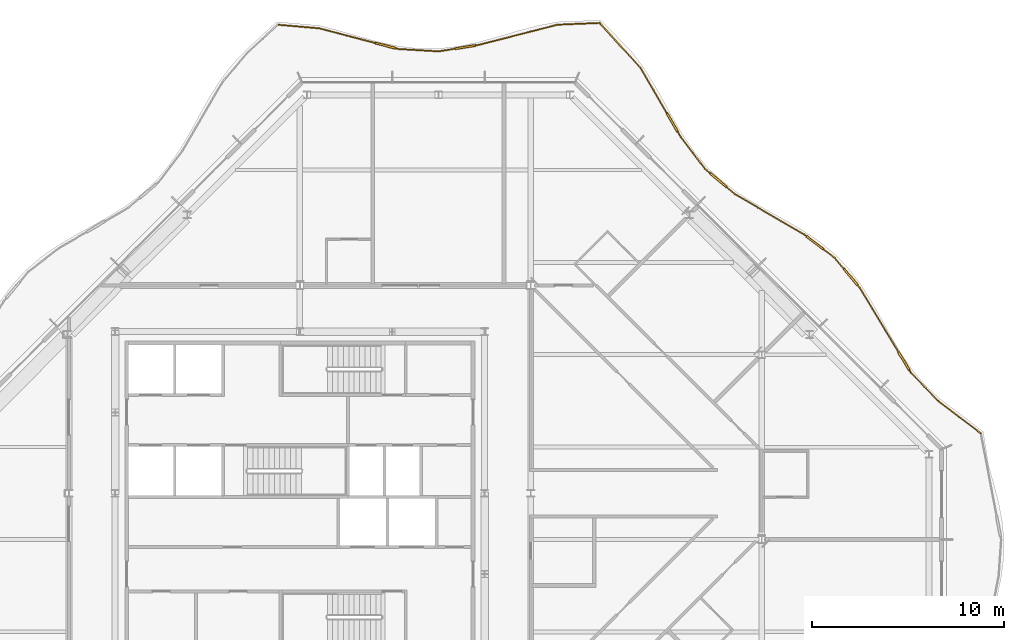
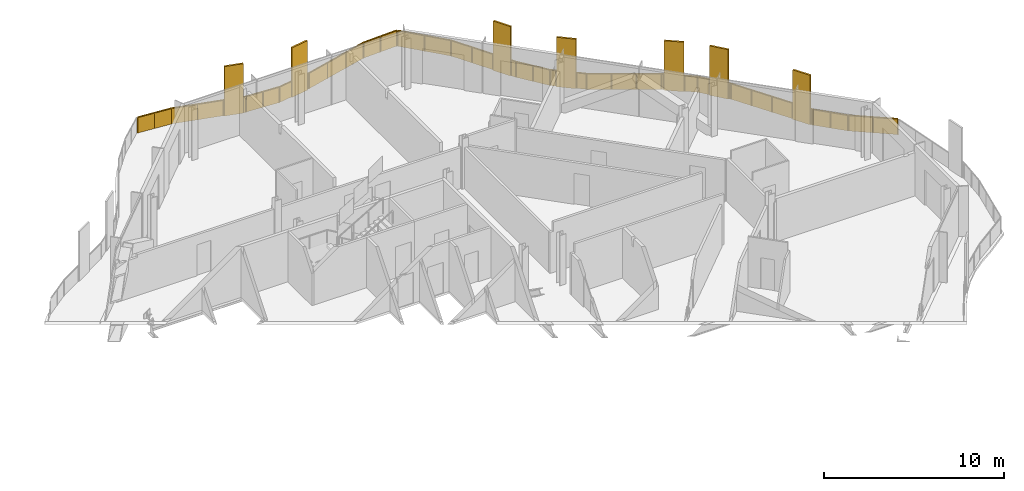
# One storey, part 17 of 17: 2 railings.
"""IFC4 building model written with IfcOpenShell, lengths in metres."""

from ifc_helpers import new_model, si_unit, direction, frame, origin, origin_2d, place, context, subcontext, project, spatial, polyline, rectangle, outline, extrude, material, type_object, element, save


model = new_model("IFC4")

# Units and contexts
model_context = context("Model", 3, precision=1e-05, world=origin(), true_north=direction((0.0, 1.0)))
body_context = subcontext(model_context, "Body", "Model", "MODEL_VIEW")
ifc_project = project(units=[si_unit("LENGTHUNIT", "METRE"), si_unit("AREAUNIT", "SQUARE_METRE"), si_unit("VOLUMEUNIT", "CUBIC_METRE"), si_unit("PLANEANGLEUNIT", "RADIAN"), si_unit("MASSUNIT", "GRAM", prefix="KILO")], contexts=[model_context])

# Site, building, storey
site_placement = place(None, origin())
site = spatial("IfcSite", under=ifc_project, at=site_placement, CompositionType="ELEMENT")
building_placement = place(site_placement, origin())
building = spatial("IfcBuilding", under=site, at=building_placement, Name="Cairn Pilgrim Tower", CompositionType="ELEMENT")
storey_placement = place(building_placement, frame((0.0, 0.0, 292.199951171875)))
storey = spatial("IfcBuildingStorey", under=building, at=storey_placement, Name="L75", CompositionType="ELEMENT", Elevation=292.199951171875)

# Railings
ifc_material = material(Name="Bronze anodised aluminium rail, posts and fin screens with laminated glass infill", Category="aluminium")
railing_type = type_object("IfcRailingType", Name="BALCONY GUARD WITH FIN SCREENS", PredefinedType="GUARDRAIL", material=ifc_material)
railing_1_placement = place(storey_placement, frame((42.58544921875, 5.511474609375, 0.0)))
element("IfcRailing", 1, at=railing_1_placement, inside=storey, type_object=railing_type, Name="Balcony guard BGF-4 with fin screens", PredefinedType="GUARDRAIL", context=body_context, shape_type="SweptSolid", body=[
    extrude(rectangle(XDim=0.050048828125, YDim=0.050048828125, at=origin_2d()), frame((0.0, 0.0, 1.0751953125), z_axis=(-0.795988320234, 0.605311980759, 0.0), x_axis=(-0.605311980759, -0.795988320234, 0.0)), (0.0, 0.0, 1.0), 2.787353515625),
    extrude(rectangle(XDim=0.050048828125, YDim=0.050048828125, at=origin_2d()), frame((-2.21875, 1.687255859375, 1.0751953125), z_axis=(-0.693455396175, 0.720499558304, 0.0), x_axis=(-0.720499558304, -0.693455396175, 0.0)), (0.0, 0.0, 1.0), 2.040283203125),
    extrude(rectangle(XDim=1.10009765625, YDim=0.110107421875, at=origin_2d()), frame((-3.995361328125, 3.75634765625, 0.0), z_axis=(0.0, 0.0, 1.0), x_axis=(-0.516813752047, 0.856097859882, 0.0)), (0.0, 0.0, 1.0), 3.35009765625),
    extrude(rectangle(XDim=0.050048828125, YDim=0.050048828125, at=origin_2d()), frame((-3.633544921875, 3.1572265625, 1.0751953125), z_axis=(-0.516813752047, 0.856097859882, 0.0), x_axis=(-0.856097859882, -0.516813752047, 0.0)), (0.0, 0.0, 1.0), 0.14990234375),
    extrude(rectangle(XDim=0.050048828125, YDim=0.050048828125, at=origin_2d()), frame((-4.279541015625, 4.227294921875, 1.0751953125), z_axis=(-0.516813752047, 0.856097859882, 0.0), x_axis=(-0.856097859882, -0.516813752047, 0.0)), (0.0, 0.0, 1.0), 3.9345703125),
    extrude(rectangle(XDim=1.10009765625, YDim=0.110107421875, at=origin_2d()), frame((-6.762939453125, 8.132080078125, 0.0), z_axis=(0.0, 0.0, 1.0), x_axis=(-0.642665669089, 0.766146746893, 0.0)), (0.0, 0.0, 1.0), 3.35009765625),
    extrude(rectangle(XDim=0.050048828125, YDim=0.050048828125, at=origin_2d()), frame((-6.31298828125, 7.595703125, 1.0751953125), z_axis=(-0.642665669089, 0.766146746893, 0.0), x_axis=(-0.766146746893, -0.642665669089, 0.0)), (0.0, 0.0, 1.0), 0.150146484375),
    extrude(rectangle(XDim=0.050048828125, YDim=0.050048828125, at=origin_2d()), frame((-7.116455078125, 8.553466796875, 1.0751953125), z_axis=(-0.642665669089, 0.766146746893, 0.0), x_axis=(-0.766146746893, -0.642665669089, 0.0)), (0.0, 0.0, 1.0), 0.740966796875),
    extrude(rectangle(XDim=1.10009765625, YDim=0.110107421875, at=origin_2d()), frame((-8.626708984375, 9.91357421875, 0.0), z_axis=(0.0, 0.0, 1.0), x_axis=(-0.793755438794, 0.60823704539, 0.0)), (0.0, 0.0, 1.0), 3.35009765625),
    extrude(rectangle(XDim=0.050048828125, YDim=0.050048828125, at=origin_2d()), frame((-7.592529296875, 9.12109375, 1.0751953125), z_axis=(-0.793755438794, 0.60823704539, 0.0), x_axis=(-0.60823704539, -0.793755438794, 0.0)), (0.0, 0.0, 1.0), 0.7529296875),
    extrude(rectangle(XDim=0.050048828125, YDim=0.050048828125, at=origin_2d()), frame((-9.063232421875, 10.248046875, 1.0751953125), z_axis=(-0.793755438794, 0.60823704539, 0.0), x_axis=(-0.60823704539, -0.793755438794, 0.0)), (0.0, 0.0, 1.0), 0.150146484375),
    extrude(rectangle(XDim=0.050048828125, YDim=0.050048828125, at=origin_2d()), frame((-9.182373046875, 10.33935546875, 1.0751953125), z_axis=(-0.864033985718, 0.503433482721, 0.0), x_axis=(-0.503433482721, -0.864033985718, 0.0)), (0.0, 0.0, 1.0), 4.163818359375),
    extrude(rectangle(XDim=1.10009765625, YDim=0.110107421875, at=origin_2d()), frame((-13.6494140625, 13.172119140625, 0.0), z_axis=(0.0, 0.0, 1.0), x_axis=(-0.762997248631, 0.646401731574, 0.0)), (0.0, 0.0, 1.0), 3.35009765625),
    extrude(rectangle(XDim=0.050048828125, YDim=0.050048828125, at=origin_2d()), frame((-12.780029296875, 12.435546875, 1.0751953125), z_axis=(-0.762997248631, 0.646401731574, 0.0), x_axis=(-0.646401731574, -0.762997248631, 0.0)), (0.0, 0.0, 1.0), 0.58935546875),
    extrude(rectangle(XDim=0.050048828125, YDim=0.050048828125, at=origin_2d()), frame((-14.069091796875, 13.527587890625, 1.0751953125), z_axis=(-0.762997248631, 0.646401731574, 0.0), x_axis=(-0.646401731574, -0.762997248631, 0.0)), (0.0, 0.0, 1.0), 0.3583984375),
    extrude(rectangle(XDim=0.050048828125, YDim=0.050048828125, at=origin_2d()), frame((-14.342529296875, 13.75927734375, 1.0751953125), z_axis=(-0.60473993153, 0.796423012734, 0.0), x_axis=(-0.796423012734, -0.60473993153, 0.0)), (0.0, 0.0, 1.0), 2.0556640625),
    extrude(rectangle(XDim=1.10009765625, YDim=0.110107421875, at=origin_2d()), frame((-16.031494140625, 16.16064453125, 0.0), z_axis=(0.0, 0.0, 1.0), x_axis=(-0.503849095082, 0.863791693283, 0.0)), (0.0, 0.0, 1.0), 3.35009765625),
    extrude(rectangle(XDim=0.050048828125, YDim=0.050048828125, at=origin_2d()), frame((-15.585693359375, 15.396484375, 1.0751953125), z_axis=(-0.503849095082, 0.863791693283, 0.0), x_axis=(-0.863791693283, -0.503849095082, 0.0)), (0.0, 0.0, 1.0), 0.33447265625),
    extrude(rectangle(XDim=0.050048828125, YDim=0.050048828125, at=origin_2d()), frame((-16.30859375, 16.6357421875, 1.0751953125), z_axis=(-0.503849095082, 0.863791693283, 0.0), x_axis=(-0.863791693283, -0.503849095082, 0.0)), (0.0, 0.0, 1.0), 2.718505859375),
    extrude(rectangle(XDim=0.050048828125, YDim=0.050048828125, at=origin_2d()), frame((-17.67822265625, 18.98388671875, 1.0751953125), z_axis=(-0.672250618773, 0.740323649196, 0.0), x_axis=(-0.740323649196, -0.672250618773, 0.0)), (0.0, 0.0, 1.0), 3.109375),
    extrude(rectangle(XDim=0.050048828125, YDim=0.050048828125, at=origin_2d()), origin(), (0.0, 0.0, 1.0), 1.050048828125),
    extrude(rectangle(XDim=0.050048828125, YDim=0.050048828125, at=origin_2d()), frame((-1.109375, 0.84375, 0.0)), (0.0, 0.0, 1.0), 1.050048828125),
    extrude(rectangle(XDim=0.050048828125, YDim=0.050048828125, at=origin_2d()), frame((-2.21875, 1.687255859375, 0.0)), (0.0, 0.0, 1.0), 1.050048828125),
    extrude(rectangle(XDim=0.050048828125, YDim=0.050048828125, at=origin_2d()), frame((-2.92626953125, 2.42236328125, 0.0)), (0.0, 0.0, 1.0), 1.050048828125),
    extrude(rectangle(XDim=0.050048828125, YDim=0.050048828125, at=origin_2d()), frame((-3.633544921875, 3.1572265625, 0.0)), (0.0, 0.0, 1.0), 1.050048828125),
    extrude(rectangle(XDim=0.050048828125, YDim=0.050048828125, at=origin_2d()), frame((-3.697998046875, 3.26416015625, 0.0)), (0.0, 0.0, 1.0), 1.050048828125),
    extrude(rectangle(XDim=0.050048828125, YDim=0.050048828125, at=origin_2d()), frame((-4.29248046875, 4.248779296875, 0.0)), (0.0, 0.0, 1.0), 1.050048828125),
    extrude(rectangle(XDim=0.050048828125, YDim=0.050048828125, at=origin_2d()), frame((-4.966064453125, 5.3642578125, 0.0)), (0.0, 0.0, 1.0), 1.050048828125),
    extrude(rectangle(XDim=0.050048828125, YDim=0.050048828125, at=origin_2d()), frame((-5.639404296875, 6.47998046875, 0.0)), (0.0, 0.0, 1.0), 1.050048828125),
    extrude(rectangle(XDim=0.050048828125, YDim=0.050048828125, at=origin_2d()), frame((-6.31298828125, 7.595703125, 0.0)), (0.0, 0.0, 1.0), 1.050048828125),
    extrude(rectangle(XDim=0.050048828125, YDim=0.050048828125, at=origin_2d()), frame((-6.393310546875, 7.69140625, 0.0)), (0.0, 0.0, 1.0), 1.050048828125),
    extrude(rectangle(XDim=0.050048828125, YDim=0.050048828125, at=origin_2d()), frame((-7.13232421875, 8.572509765625, 0.0)), (0.0, 0.0, 1.0), 1.050048828125),
    extrude(rectangle(XDim=0.050048828125, YDim=0.050048828125, at=origin_2d()), frame((-7.592529296875, 9.12109375, 0.0)), (0.0, 0.0, 1.0), 1.050048828125),
    extrude(rectangle(XDim=0.050048828125, YDim=0.050048828125, at=origin_2d()), frame((-8.170166015625, 9.563720703125, 0.0)), (0.0, 0.0, 1.0), 1.050048828125),
    extrude(rectangle(XDim=0.050048828125, YDim=0.050048828125, at=origin_2d()), frame((-9.0830078125, 10.26318359375, 0.0)), (0.0, 0.0, 1.0), 1.050048828125),
    extrude(rectangle(XDim=0.050048828125, YDim=0.050048828125, at=origin_2d()), frame((-9.182373046875, 10.33935546875, 0.0)), (0.0, 0.0, 1.0), 1.050048828125),
    extrude(rectangle(XDim=0.050048828125, YDim=0.050048828125, at=origin_2d()), frame((-10.381591796875, 11.0380859375, 0.0)), (0.0, 0.0, 1.0), 1.050048828125),
    extrude(rectangle(XDim=0.050048828125, YDim=0.050048828125, at=origin_2d()), frame((-11.580810546875, 11.73681640625, 0.0)), (0.0, 0.0, 1.0), 1.050048828125),
    extrude(rectangle(XDim=0.050048828125, YDim=0.050048828125, at=origin_2d()), frame((-12.780029296875, 12.435546875, 0.0)), (0.0, 0.0, 1.0), 1.050048828125),
    extrude(rectangle(XDim=0.050048828125, YDim=0.050048828125, at=origin_2d()), frame((-13.210693359375, 12.80029296875, 0.0)), (0.0, 0.0, 1.0), 1.050048828125),
    extrude(rectangle(XDim=0.050048828125, YDim=0.050048828125, at=origin_2d()), frame((-14.088134765625, 13.543701171875, 0.0)), (0.0, 0.0, 1.0), 1.050048828125),
    extrude(rectangle(XDim=0.050048828125, YDim=0.050048828125, at=origin_2d()), frame((-14.342529296875, 13.75927734375, 0.0)), (0.0, 0.0, 1.0), 1.050048828125),
    extrude(rectangle(XDim=0.050048828125, YDim=0.050048828125, at=origin_2d()), frame((-14.964111328125, 14.577880859375, 0.0)), (0.0, 0.0, 1.0), 1.050048828125),
    extrude(rectangle(XDim=0.050048828125, YDim=0.050048828125, at=origin_2d()), frame((-15.585693359375, 15.396484375, 0.0)), (0.0, 0.0, 1.0), 1.050048828125),
    extrude(rectangle(XDim=0.050048828125, YDim=0.050048828125, at=origin_2d()), frame((-15.74169921875, 15.663818359375, 0.0)), (0.0, 0.0, 1.0), 1.050048828125),
    extrude(rectangle(XDim=0.050048828125, YDim=0.050048828125, at=origin_2d()), frame((-16.321044921875, 16.6572265625, 0.0)), (0.0, 0.0, 1.0), 1.050048828125),
    extrude(rectangle(XDim=0.050048828125, YDim=0.050048828125, at=origin_2d()), frame((-16.999755859375, 17.820556640625, 0.0)), (0.0, 0.0, 1.0), 1.050048828125),
    extrude(rectangle(XDim=0.050048828125, YDim=0.050048828125, at=origin_2d()), frame((-17.67822265625, 18.98388671875, 0.0)), (0.0, 0.0, 1.0), 1.050048828125),
    extrude(rectangle(XDim=0.050048828125, YDim=0.050048828125, at=origin_2d()), frame((-18.723388671875, 20.134765625, 0.0)), (0.0, 0.0, 1.0), 1.050048828125),
    extrude(rectangle(XDim=0.050048828125, YDim=0.050048828125, at=origin_2d()), frame((-19.7685546875, 21.285888671875, 0.0)), (0.0, 0.0, 1.0), 1.050048828125),
    extrude(outline(polyline([(0.02490234375, 0.0), (1.36865234375, 0.0), (1.36865234375, 1.050048828125), (0.02490234375, 1.050048828125), (0.02490234375, 0.0)])), frame((-0.003662109375, -0.0048828125, 0.0), z_axis=(0.605311980759, 0.795988320234, 0.0), x_axis=(-0.795988320234, 0.605311980759, 0.0)), (0.0, 0.0, 1.0), 0.011962890625),
    extrude(outline(polyline([(0.02490234375, 0.0), (1.36865234375, 0.0), (1.36865234375, 1.050048828125), (0.02490234375, 1.050048828125), (0.02490234375, 0.0)])), frame((-1.113037109375, 0.8388671875, 0.0), z_axis=(0.605311980759, 0.795988320234, 0.0), x_axis=(-0.795988320234, 0.605311980759, 0.0)), (0.0, 0.0, 1.0), 0.011962890625),
    extrude(outline(polyline([(0.02490234375, 0.0), (0.9951171875, 0.0), (0.9951171875, 1.050048828125), (0.02490234375, 1.050048828125), (0.02490234375, 0.0)])), frame((-2.22314453125, 1.68310546875, 0.0), z_axis=(0.720499558304, 0.693455396175, 0.0), x_axis=(-0.693455396175, 0.720499558304, 0.0)), (0.0, 0.0, 1.0), 0.011962890625),
    extrude(outline(polyline([(0.02490234375, 0.0), (0.9951171875, 0.0), (0.9951171875, 1.050048828125), (0.02490234375, 1.050048828125), (0.02490234375, 0.0)])), frame((-2.930419921875, 2.418212890625, 0.0), z_axis=(0.720499558304, 0.693455396175, 0.0), x_axis=(-0.693455396175, 0.720499558304, 0.0)), (0.0, 0.0, 1.0), 0.011962890625),
    extrude(outline(polyline([(0.02490234375, 0.0), (0.099853515625, 0.0), (0.099853515625, 1.050048828125), (0.02490234375, 1.050048828125), (0.02490234375, 0.0)])), frame((-3.638671875, 3.154052734375, 0.0), z_axis=(0.856097859882, 0.516813752047, 0.0), x_axis=(-0.516813752047, 0.856097859882, 0.0)), (0.0, 0.0, 1.0), 0.011962890625),
    extrude(outline(polyline([(0.02490234375, 0.0), (1.278076171875, 0.0), (1.278076171875, 1.050048828125), (0.02490234375, 1.050048828125), (0.02490234375, 0.0)])), frame((-4.297607421875, 4.24560546875, 0.0), z_axis=(0.856097859882, 0.516813752047, 0.0), x_axis=(-0.516813752047, 0.856097859882, 0.0)), (0.0, 0.0, 1.0), 0.011962890625),
    extrude(outline(polyline([(0.02490234375, 0.0), (1.278076171875, 0.0), (1.278076171875, 1.050048828125), (0.02490234375, 1.050048828125), (0.02490234375, 0.0)])), frame((-4.97119140625, 5.361328125, 0.0), z_axis=(0.856097859882, 0.516813752047, 0.0), x_axis=(-0.516813752047, 0.856097859882, 0.0)), (0.0, 0.0, 1.0), 0.011962890625),
    extrude(outline(polyline([(0.02490234375, 0.0), (1.278076171875, 0.0), (1.278076171875, 1.050048828125), (0.02490234375, 1.050048828125), (0.02490234375, 0.0)])), frame((-5.64453125, 6.47705078125, 0.0), z_axis=(0.856097859882, 0.516813752047, 0.0), x_axis=(-0.516813752047, 0.856097859882, 0.0)), (0.0, 0.0, 1.0), 0.011962890625),
    extrude(outline(polyline([(0.02490234375, 0.0), (0.10009765625, 0.0), (0.10009765625, 1.050048828125), (0.02490234375, 1.050048828125), (0.02490234375, 0.0)])), frame((-6.317626953125, 7.591796875, 0.0), z_axis=(0.766146746893, 0.642665669089, 0.0), x_axis=(-0.642665669089, 0.766146746893, 0.0)), (0.0, 0.0, 1.0), 0.011962890625),
    extrude(outline(polyline([(0.02490234375, 0.0), (0.69091796875, 0.0), (0.69091796875, 1.050048828125), (0.02490234375, 1.050048828125), (0.02490234375, 0.0)])), frame((-7.136962890625, 8.56884765625, 0.0), z_axis=(0.766146746893, 0.642665669089, 0.0), x_axis=(-0.642665669089, 0.766146746893, 0.0)), (0.0, 0.0, 1.0), 0.011962890625),
    extrude(outline(polyline([(0.02490234375, 0.0), (0.702880859375, 0.0), (0.702880859375, 1.050048828125), (0.02490234375, 1.050048828125), (0.02490234375, 0.0)])), frame((-7.59619140625, 9.116455078125, 0.0), z_axis=(0.60823704539, 0.793755438794, 0.0), x_axis=(-0.793755438794, 0.60823704539, 0.0)), (0.0, 0.0, 1.0), 0.011962890625),
    extrude(outline(polyline([(0.02490234375, 0.0), (0.10009765625, 0.0), (0.10009765625, 1.050048828125), (0.02490234375, 1.050048828125), (0.02490234375, 0.0)])), frame((-9.086669921875, 10.258544921875, 0.0), z_axis=(0.60823704539, 0.793755438794, 0.0), x_axis=(-0.793755438794, 0.60823704539, 0.0)), (0.0, 0.0, 1.0), 0.011962890625),
    extrude(outline(polyline([(0.02490234375, 0.0), (1.36279296875, 0.0), (1.36279296875, 1.050048828125), (0.02490234375, 1.050048828125), (0.02490234375, 0.0)])), frame((-9.185302734375, 10.334228515625, 0.0), z_axis=(0.503433482721, 0.864033985718, 0.0), x_axis=(-0.864033985718, 0.503433482721, 0.0)), (0.0, 0.0, 1.0), 0.011962890625),
    extrude(outline(polyline([(0.02490234375, 0.0), (1.36279296875, 0.0), (1.36279296875, 1.050048828125), (0.02490234375, 1.050048828125), (0.02490234375, 0.0)])), frame((-10.384521484375, 11.032958984375, 0.0), z_axis=(0.503433482721, 0.864033985718, 0.0), x_axis=(-0.864033985718, 0.503433482721, 0.0)), (0.0, 0.0, 1.0), 0.011962890625),
    extrude(outline(polyline([(0.02490234375, 0.0), (1.36279296875, 0.0), (1.36279296875, 1.050048828125), (0.02490234375, 1.050048828125), (0.02490234375, 0.0)])), frame((-11.583740234375, 11.731689453125, 0.0), z_axis=(0.503433482721, 0.864033985718, 0.0), x_axis=(-0.864033985718, 0.503433482721, 0.0)), (0.0, 0.0, 1.0), 0.011962890625),
    extrude(outline(polyline([(0.02490234375, 0.0), (0.539306640625, 0.0), (0.539306640625, 1.050048828125), (0.02490234375, 1.050048828125), (0.02490234375, 0.0)])), frame((-12.783935546875, 12.430908203125, 0.0), z_axis=(0.646401731574, 0.762997248631, 0.0), x_axis=(-0.762997248631, 0.646401731574, 0.0)), (0.0, 0.0, 1.0), 0.011962890625),
    extrude(outline(polyline([(0.02490234375, 0.0), (0.308349609375, 0.0), (0.308349609375, 1.050048828125), (0.02490234375, 1.050048828125), (0.02490234375, 0.0)])), frame((-14.092041015625, 13.539306640625, 0.0), z_axis=(0.646401731574, 0.762997248631, 0.0), x_axis=(-0.762997248631, 0.646401731574, 0.0)), (0.0, 0.0, 1.0), 0.011962890625),
    extrude(outline(polyline([(0.02490234375, 0.0), (1.0029296875, 0.0), (1.0029296875, 1.050048828125), (0.02490234375, 1.050048828125), (0.02490234375, 0.0)])), frame((-14.347412109375, 13.755615234375, 0.0), z_axis=(0.796423012734, 0.60473993153, 0.0), x_axis=(-0.60473993153, 0.796423012734, 0.0)), (0.0, 0.0, 1.0), 0.011962890625),
    extrude(outline(polyline([(0.02490234375, 0.0), (1.0029296875, 0.0), (1.0029296875, 1.050048828125), (0.02490234375, 1.050048828125), (0.02490234375, 0.0)])), frame((-14.968994140625, 14.57421875, 0.0), z_axis=(0.796423012734, 0.60473993153, 0.0), x_axis=(-0.60473993153, 0.796423012734, 0.0)), (0.0, 0.0, 1.0), 0.011962890625),
    extrude(outline(polyline([(0.02490234375, 0.0), (0.284423828125, 0.0), (0.284423828125, 1.050048828125), (0.02490234375, 1.050048828125), (0.02490234375, 0.0)])), frame((-15.5908203125, 15.3935546875, 0.0), z_axis=(0.863791693283, 0.503849095082, 0.0), x_axis=(-0.503849095082, 0.863791693283, 0.0)), (0.0, 0.0, 1.0), 0.011962890625),
    extrude(outline(polyline([(0.02490234375, 0.0), (1.32177734375, 0.0), (1.32177734375, 1.050048828125), (0.02490234375, 1.050048828125), (0.02490234375, 0.0)])), frame((-16.326171875, 16.654296875, 0.0), z_axis=(0.863791693283, 0.503849095082, 0.0), x_axis=(-0.503849095082, 0.863791693283, 0.0)), (0.0, 0.0, 1.0), 0.011962890625),
    extrude(outline(polyline([(0.02490234375, 0.0), (1.32177734375, 0.0), (1.32177734375, 1.050048828125), (0.02490234375, 1.050048828125), (0.02490234375, 0.0)])), frame((-17.0048828125, 17.817626953125, 0.0), z_axis=(0.863791693283, 0.503849095082, 0.0), x_axis=(-0.503849095082, 0.863791693283, 0.0)), (0.0, 0.0, 1.0), 0.011962890625),
    extrude(outline(polyline([(0.02490234375, 0.0), (1.52978515625, 0.0), (1.52978515625, 1.050048828125), (0.02490234375, 1.050048828125), (0.02490234375, 0.0)])), frame((-17.6826171875, 18.97998046875, 0.0), z_axis=(0.740323649196, 0.672250618773, 0.0), x_axis=(-0.672250618773, 0.740323649196, 0.0)), (0.0, 0.0, 1.0), 0.011962890625),
    extrude(outline(polyline([(0.02490234375, 0.0), (1.52978515625, 0.0), (1.52978515625, 1.050048828125), (0.02490234375, 1.050048828125), (0.02490234375, 0.0)])), frame((-18.727783203125, 20.130859375, 0.0), z_axis=(0.740323649196, 0.672250618773, 0.0), x_axis=(-0.672250618773, 0.740323649196, 0.0)), (0.0, 0.0, 1.0), 0.011962890625),
])
railing_2_placement = place(storey_placement, frame((22.776611328125, 26.841796875, 0.0)))
element("IfcRailing", 2, at=railing_2_placement, inside=storey, type_object=railing_type, Name="Balcony guard BGF-5 with fin screens", PredefinedType="GUARDRAIL", context=body_context, shape_type="SweptSolid", body=[
    extrude(rectangle(XDim=0.050048828125, YDim=0.050048828125, at=origin_2d()), frame((0.0, 0.0, 1.0751953125), z_axis=(-0.999121805278, -0.041900098074, 0.0), x_axis=(0.041900098074, -0.999121805278, 0.0)), (0.0, 0.0, 1.0), 2.18505859375),
    extrude(rectangle(XDim=0.050048828125, YDim=0.050048828125, at=origin_2d()), frame((-2.18310546875, -0.091552734375, 1.0751953125), z_axis=(-0.968747677828, -0.248048254786, 0.0), x_axis=(0.248048254786, -0.968747677828, 0.0)), (0.0, 0.0, 1.0), 4.23828125),
    extrude(rectangle(XDim=1.10009765625, YDim=0.110107421875, at=origin_2d()), frame((-6.97998046875, -1.25439453125, 0.0), z_axis=(0.0, 0.0, 1.0), x_axis=(-0.987229367681, -0.159305290525, 0.0)), (0.0, 0.0, 1.0), 3.35009765625),
    extrude(rectangle(XDim=0.050048828125, YDim=0.050048828125, at=origin_2d()), frame((-6.288818359375, -1.142822265625, 1.0751953125), z_axis=(-0.987229367681, -0.159305290525, 0.0), x_axis=(0.159305290525, -0.987229367681, 0.0)), (0.0, 0.0, 1.0), 0.14990234375),
    extrude(rectangle(XDim=0.050048828125, YDim=0.050048828125, at=origin_2d()), frame((-7.52294921875, -1.342041015625, 1.0751953125), z_axis=(-0.987229367681, -0.159305290525, 0.0), x_axis=(0.159305290525, -0.987229367681, 0.0)), (0.0, 0.0, 1.0), 0.857177734375),
    extrude(rectangle(XDim=0.050048828125, YDim=0.050048828125, at=origin_2d()), frame((-8.369140625, -1.478515625, 1.0751953125), z_axis=(-0.998220024173, 0.059638773805, 0.0), x_axis=(-0.059638773805, -0.998220024173, 0.0)), (0.0, 0.0, 1.0), 2.091796875),
    extrude(rectangle(XDim=1.10009765625, YDim=0.110107421875, at=origin_2d()), frame((-11.134765625, -1.17724609375, 0.0), z_axis=(0.0, 0.0, 1.0), x_axis=(-0.967680626652, 0.25217891427, 0.0)), (0.0, 0.0, 1.0), 3.35009765625),
    extrude(rectangle(XDim=0.050048828125, YDim=0.050048828125, at=origin_2d()), frame((-10.457275390625, -1.353759765625, 1.0751953125), z_axis=(-0.967680626652, 0.25217891427, 0.0), x_axis=(-0.25217891427, -0.967680626652, 0.0)), (0.0, 0.0, 1.0), 0.14990234375),
    extrude(rectangle(XDim=0.050048828125, YDim=0.050048828125, at=origin_2d()), frame((-11.6669921875, -1.03857421875, 1.0751953125), z_axis=(-0.967680626652, 0.25217891427, 0.0), x_axis=(-0.25217891427, -0.967680626652, 0.0)), (0.0, 0.0, 1.0), 3.00390625),
    extrude(rectangle(XDim=0.050048828125, YDim=0.050048828125, at=origin_2d()), frame((-14.57373046875, -0.281005859375, 1.0751953125), z_axis=(-0.996166558537, 0.087476783508, 0.0), x_axis=(-0.087476783508, -0.996166558537, 0.0)), (0.0, 0.0, 1.0), 2.1015625),
    extrude(rectangle(XDim=0.050048828125, YDim=0.050048828125, at=origin_2d()), origin(), (0.0, 0.0, 1.0), 1.050048828125),
    extrude(rectangle(XDim=0.050048828125, YDim=0.050048828125, at=origin_2d()), frame((-1.091552734375, -0.0458984375, 0.0)), (0.0, 0.0, 1.0), 1.050048828125),
    extrude(rectangle(XDim=0.050048828125, YDim=0.050048828125, at=origin_2d()), frame((-2.18310546875, -0.091552734375, 0.0)), (0.0, 0.0, 1.0), 1.050048828125),
    extrude(rectangle(XDim=0.050048828125, YDim=0.050048828125, at=origin_2d()), frame((-3.5517578125, -0.44189453125, 0.0)), (0.0, 0.0, 1.0), 1.050048828125),
    extrude(rectangle(XDim=0.050048828125, YDim=0.050048828125, at=origin_2d()), frame((-4.920166015625, -0.79248046875, 0.0)), (0.0, 0.0, 1.0), 1.050048828125),
    extrude(rectangle(XDim=0.050048828125, YDim=0.050048828125, at=origin_2d()), frame((-6.288818359375, -1.142822265625, 0.0)), (0.0, 0.0, 1.0), 1.050048828125),
    extrude(rectangle(XDim=0.050048828125, YDim=0.050048828125, at=origin_2d()), frame((-6.412109375, -1.162841796875, 0.0)), (0.0, 0.0, 1.0), 1.050048828125),
    extrude(rectangle(XDim=0.050048828125, YDim=0.050048828125, at=origin_2d()), frame((-7.547607421875, -1.345947265625, 0.0)), (0.0, 0.0, 1.0), 1.050048828125),
    extrude(rectangle(XDim=0.050048828125, YDim=0.050048828125, at=origin_2d()), frame((-8.369140625, -1.478515625, 0.0)), (0.0, 0.0, 1.0), 1.050048828125),
    extrude(rectangle(XDim=0.050048828125, YDim=0.050048828125, at=origin_2d()), frame((-9.4130859375, -1.416015625, 0.0)), (0.0, 0.0, 1.0), 1.050048828125),
    extrude(rectangle(XDim=0.050048828125, YDim=0.050048828125, at=origin_2d()), frame((-10.457275390625, -1.353759765625, 0.0)), (0.0, 0.0, 1.0), 1.050048828125),
    extrude(rectangle(XDim=0.050048828125, YDim=0.050048828125, at=origin_2d()), frame((-10.578125, -1.322265625, 0.0)), (0.0, 0.0, 1.0), 1.050048828125),
    extrude(rectangle(XDim=0.050048828125, YDim=0.050048828125, at=origin_2d()), frame((-11.691162109375, -1.0322265625, 0.0)), (0.0, 0.0, 1.0), 1.050048828125),
    extrude(rectangle(XDim=0.050048828125, YDim=0.050048828125, at=origin_2d()), frame((-13.13232421875, -0.656494140625, 0.0)), (0.0, 0.0, 1.0), 1.050048828125),
    extrude(rectangle(XDim=0.050048828125, YDim=0.050048828125, at=origin_2d()), frame((-14.57373046875, -0.281005859375, 0.0)), (0.0, 0.0, 1.0), 1.050048828125),
    extrude(rectangle(XDim=0.050048828125, YDim=0.050048828125, at=origin_2d()), frame((-15.62060546875, -0.18896484375, 0.0)), (0.0, 0.0, 1.0), 1.050048828125),
    extrude(rectangle(XDim=0.050048828125, YDim=0.050048828125, at=origin_2d()), frame((-16.667236328125, -0.09716796875, 0.0)), (0.0, 0.0, 1.0), 1.050048828125),
    extrude(outline(polyline([(0.02490234375, 0.0), (1.0673828125, 0.0), (1.0673828125, 1.050048828125), (0.02490234375, 1.050048828125), (0.02490234375, 0.0)])), frame((0.000244140625, -0.005859375, 0.0), z_axis=(-0.041900098074, 0.999121805278, 0.0), x_axis=(-0.999121805278, -0.041900098074, 0.0)), (0.0, 0.0, 1.0), 0.011962890625),
    extrude(outline(polyline([(0.02490234375, 0.0), (1.0673828125, 0.0), (1.0673828125, 1.050048828125), (0.02490234375, 1.050048828125), (0.02490234375, 0.0)])), frame((-1.09130859375, -0.0517578125, 0.0), z_axis=(-0.041900098074, 0.999121805278, 0.0), x_axis=(-0.999121805278, -0.041900098074, 0.0)), (0.0, 0.0, 1.0), 0.011962890625),
    extrude(outline(polyline([(0.02490234375, 0.0), (1.3876953125, 0.0), (1.3876953125, 1.050048828125), (0.02490234375, 1.050048828125), (0.02490234375, 0.0)])), frame((-2.181640625, -0.097412109375, 0.0), z_axis=(-0.248048254786, 0.968747677828, 0.0), x_axis=(-0.968747677828, -0.248048254786, 0.0)), (0.0, 0.0, 1.0), 0.011962890625),
    extrude(outline(polyline([(0.02490234375, 0.0), (1.3876953125, 0.0), (1.3876953125, 1.050048828125), (0.02490234375, 1.050048828125), (0.02490234375, 0.0)])), frame((-3.55029296875, -0.44775390625, 0.0), z_axis=(-0.248048254786, 0.968747677828, 0.0), x_axis=(-0.968747677828, -0.248048254786, 0.0)), (0.0, 0.0, 1.0), 0.011962890625),
    extrude(outline(polyline([(0.02490234375, 0.0), (1.3876953125, 0.0), (1.3876953125, 1.050048828125), (0.02490234375, 1.050048828125), (0.02490234375, 0.0)])), frame((-4.918701171875, -0.798095703125, 0.0), z_axis=(-0.248048254786, 0.968747677828, 0.0), x_axis=(-0.968747677828, -0.248048254786, 0.0)), (0.0, 0.0, 1.0), 0.011962890625),
    extrude(outline(polyline([(0.02490234375, 0.0), (0.099853515625, 0.0), (0.099853515625, 1.050048828125), (0.02490234375, 1.050048828125), (0.02490234375, 0.0)])), frame((-6.287841796875, -1.148681640625, 0.0), z_axis=(-0.159305290525, 0.987229367681, 0.0), x_axis=(-0.987229367681, -0.159305290525, 0.0)), (0.0, 0.0, 1.0), 0.011962890625),
    extrude(outline(polyline([(0.02490234375, 0.0), (0.80712890625, 0.0), (0.80712890625, 1.050048828125), (0.02490234375, 1.050048828125), (0.02490234375, 0.0)])), frame((-7.546630859375, -1.351806640625, 0.0), z_axis=(-0.159305290525, 0.987229367681, 0.0), x_axis=(-0.987229367681, -0.159305290525, 0.0)), (0.0, 0.0, 1.0), 0.011962890625),
    extrude(outline(polyline([(0.02490234375, 0.0), (1.02099609375, 0.0), (1.02099609375, 1.050048828125), (0.02490234375, 1.050048828125), (0.02490234375, 0.0)])), frame((-8.369384765625, -1.484375, 0.0), z_axis=(0.059638773805, 0.998220024173, 0.0), x_axis=(-0.998220024173, 0.059638773805, 0.0)), (0.0, 0.0, 1.0), 0.011962890625),
    extrude(outline(polyline([(0.02490234375, 0.0), (1.02099609375, 0.0), (1.02099609375, 1.050048828125), (0.02490234375, 1.050048828125), (0.02490234375, 0.0)])), frame((-9.41357421875, -1.422119140625, 0.0), z_axis=(0.059638773805, 0.998220024173, 0.0), x_axis=(-0.998220024173, 0.059638773805, 0.0)), (0.0, 0.0, 1.0), 0.011962890625),
    extrude(outline(polyline([(0.02490234375, 0.0), (0.099853515625, 0.0), (0.099853515625, 1.050048828125), (0.02490234375, 1.050048828125), (0.02490234375, 0.0)])), frame((-10.458740234375, -1.359619140625, 0.0), z_axis=(0.25217891427, 0.967680626652, 0.0), x_axis=(-0.967680626652, 0.25217891427, 0.0)), (0.0, 0.0, 1.0), 0.011962890625),
    extrude(outline(polyline([(0.02490234375, 0.0), (1.46435546875, 0.0), (1.46435546875, 1.050048828125), (0.02490234375, 1.050048828125), (0.02490234375, 0.0)])), frame((-11.692626953125, -1.0380859375, 0.0), z_axis=(0.25217891427, 0.967680626652, 0.0), x_axis=(-0.967680626652, 0.25217891427, 0.0)), (0.0, 0.0, 1.0), 0.011962890625),
    extrude(outline(polyline([(0.02490234375, 0.0), (1.46435546875, 0.0), (1.46435546875, 1.050048828125), (0.02490234375, 1.050048828125), (0.02490234375, 0.0)])), frame((-13.134033203125, -0.662353515625, 0.0), z_axis=(0.25217891427, 0.967680626652, 0.0), x_axis=(-0.967680626652, 0.25217891427, 0.0)), (0.0, 0.0, 1.0), 0.011962890625),
    extrude(outline(polyline([(0.02490234375, 0.0), (1.025634765625, 0.0), (1.025634765625, 1.050048828125), (0.02490234375, 1.050048828125), (0.02490234375, 0.0)])), frame((-14.57421875, -0.286865234375, 0.0), z_axis=(0.087476783508, 0.996166558537, 0.0), x_axis=(-0.996166558537, 0.087476783508, 0.0)), (0.0, 0.0, 1.0), 0.011962890625),
    extrude(outline(polyline([(0.02490234375, 0.0), (1.025634765625, 0.0), (1.025634765625, 1.050048828125), (0.02490234375, 1.050048828125), (0.02490234375, 0.0)])), frame((-15.62109375, -0.195068359375, 0.0), z_axis=(0.087476783508, 0.996166558537, 0.0), x_axis=(-0.996166558537, 0.087476783508, 0.0)), (0.0, 0.0, 1.0), 0.011962890625),
])

save(model, "model.ifc")
